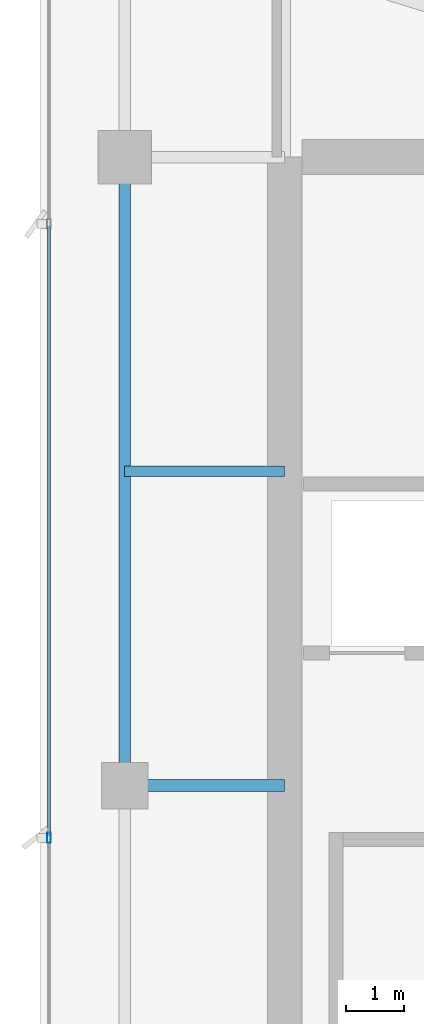
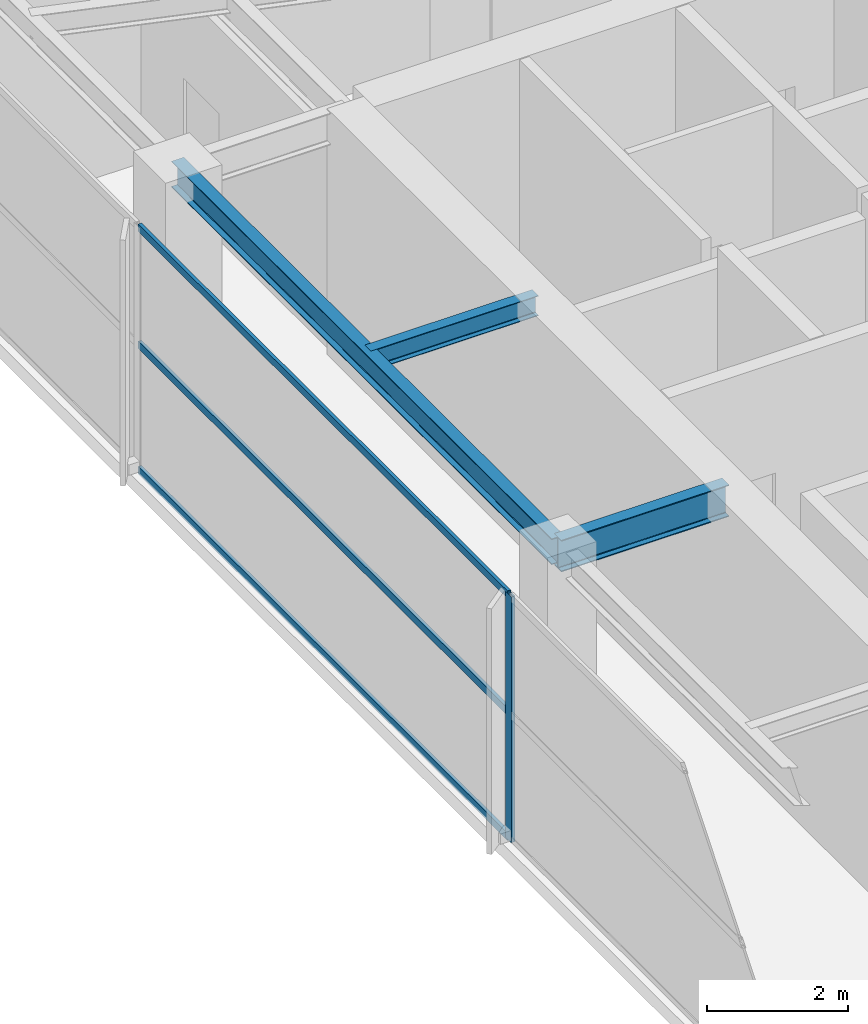
# One storey, part 9 of 25: 4 members, 3 beams, 1 element without a shape of its own.
"""IFC4 building model written with IfcOpenShell, lengths in metres."""

import ifcopenshell
import ifcopenshell.guid

model = None  # the IFC model being written
_history = None  # IfcOwnerHistory: only IFC2X3 demands one
_inside = {}  # id of a spatial element -> (the spatial element, [elements in it])
_under = {}  # id of a project, library or spatial element -> (it, [spatial elements below it])
_declared = {}  # id of a project -> (the project, [libraries it declares])
_typed = {}  # id of a type object -> (the type object, [elements of that type])
_made_of = {}  # id of a material, layer set ... -> (it, [elements and type objects made of it])


def new_model(schema):
    """Start an empty IFC model of exactly this schema.

    Asked for "IFC4X3", IfcOpenShell would pick the latest addendum, in which some entities
    have other attributes; the version numbers below select the first issue.
    IFC2X3 requires an IfcOwnerHistory on every rooted entity: one is made here for all.
    """
    global model, _history
    if schema == "IFC4X3":
        model = ifcopenshell.file(schema_version=(4, 3, 0, 0))
    else:
        model = ifcopenshell.file(schema=schema)
    _inside.clear()
    _under.clear()
    _declared.clear()
    _typed.clear()
    _made_of.clear()
    _history = None
    if model.schema == "IFC2X3":
        org = make("IfcOrganization", Name="unknown")
        user = make(
            "IfcPersonAndOrganization",
            ThePerson=make("IfcPerson", FamilyName="unknown"),
            TheOrganization=org,
        )
        app = make(
            "IfcApplication",
            ApplicationDeveloper=org,
            Version="unknown",
            ApplicationFullName="unknown",
            ApplicationIdentifier="unknown",
        )
        _history = make(
            "IfcOwnerHistory",
            OwningUser=user,
            OwningApplication=app,
            ChangeAction="ADDED",
            CreationDate=0,
        )
    return model


def make(cls, **values):
    """One entity of the class cls with the attributes given. An attribute that is None is left unset."""
    return model.create_entity(
        cls, **{name: value for name, value in values.items() if value is not None}
    )


def rooted(cls, **values):
    """An entity with a GlobalId (a new one), such as an element, a storey or a relation."""
    return make(cls, GlobalId=ifcopenshell.guid.new(), OwnerHistory=_history, **values)


def si_unit(unit_type, name, prefix=None):
    """IfcSIUnit, for example si_unit("LENGTHUNIT", "METRE", prefix="MILLI")."""
    return make("IfcSIUnit", UnitType=unit_type, Prefix=prefix, Name=name)


def assignment(units):
    """IfcUnitAssignment: the units of a project."""
    return None if units is None else make("IfcUnitAssignment", Units=units)


def point(xyz):
    """IfcCartesianPoint."""
    return None if xyz is None else make("IfcCartesianPoint", Coordinates=xyz)


def direction(xyz):
    """IfcDirection."""
    return None if xyz is None else make("IfcDirection", DirectionRatios=xyz)


def frame(location, z_axis=None, x_axis=None):
    """IfcAxis2Placement3D, a coordinate frame: its origin and axes. An axis left out is left unset."""
    return make(
        "IfcAxis2Placement3D",
        Location=point(location),
        Axis=direction(z_axis),
        RefDirection=direction(x_axis),
    )


def frame_2d(location, x_axis=None):
    """IfcAxis2Placement2D, a coordinate frame in the plane: its origin and x axis."""
    return make(
        "IfcAxis2Placement2D", Location=point(location), RefDirection=direction(x_axis)
    )


def origin():
    """The frame at (0, 0, 0) with its axes left unset."""
    return frame((0.0, 0.0, 0.0))


def origin_2d():
    """The frame at (0, 0) in the plane with its x axis left unset."""
    return frame_2d((0.0, 0.0))


def place(relative_to, where):
    """IfcLocalPlacement: puts the frame where relative to a parent placement (None: the world)."""
    return make(
        "IfcLocalPlacement", PlacementRelTo=relative_to, RelativePlacement=where
    )


def context(
    kind, dimensions, precision=None, world=None, true_north=None, identifier=None
):
    """IfcGeometricRepresentationContext, for example the 3D "Model" context."""
    return make(
        "IfcGeometricRepresentationContext",
        ContextIdentifier=identifier,
        ContextType=kind,
        CoordinateSpaceDimension=dimensions,
        Precision=precision,
        WorldCoordinateSystem=world,
        TrueNorth=true_north,
    )


def subcontext(parent, identifier, kind, view, scale=None):
    """IfcGeometricRepresentationSubContext, for example "Body" below "Model"."""
    return make(
        "IfcGeometricRepresentationSubContext",
        ContextIdentifier=identifier,
        ContextType=kind,
        ParentContext=parent,
        TargetScale=scale,
        TargetView=view,
    )


def project(units=None, contexts=None):
    """IfcProject with its units and contexts."""
    return rooted(
        "IfcProject",
        Name="project",
        RepresentationContexts=contexts,
        UnitsInContext=assignment(units),
    )


def spatial(cls, under=None, at=None, **own):
    """A site, building, storey or space (cls), placed at a placement, below another one or the project."""
    s = rooted(cls, ObjectPlacement=at, **own)
    if under is not None:
        _under.setdefault(under.id(), (under, []))[1].append(s)
    return s


def profile(cls, at=None, kind="AREA", **sizes):
    """A parametric profile (cls). Its sizes go by their IFC names, for example OverallWidth=200.0."""
    return make(cls, ProfileType=kind, Position=at, **sizes)


def hollow_rectangle(**sizes):
    """IfcRectangleHollowProfileDef."""
    return profile("IfcRectangleHollowProfileDef", **sizes)


def i_section(**sizes):
    """IfcIShapeProfileDef."""
    return profile("IfcIShapeProfileDef", **sizes)


def extrude(swept, where, along, depth):
    """IfcExtrudedAreaSolid: the profile swept, set in the frame where, extruded along a direction by depth."""
    return make(
        "IfcExtrudedAreaSolid",
        SweptArea=swept,
        Position=where,
        ExtrudedDirection=direction(along),
        Depth=depth,
    )


def shape(context_of_items, identifier, shape_type, items):
    """IfcShapeRepresentation: the items that make up one representation, for example the "Body"."""
    return make(
        "IfcShapeRepresentation",
        ContextOfItems=context_of_items,
        RepresentationIdentifier=identifier,
        RepresentationType=shape_type,
        Items=items,
    )


def material(Name=None, Category=None):
    """IfcMaterial."""
    return make("IfcMaterial", Name=Name, Category=Category)


def layer(
    of_material, thickness, ventilated=None, Name=None, Category=None, Priority=None
):
    """IfcMaterialLayer: one layer of a wall or slab, of a material (None: an air gap)."""
    return make(
        "IfcMaterialLayer",
        Material=of_material,
        LayerThickness=thickness,
        IsVentilated=ventilated,
        Name=Name,
        Category=Category,
        Priority=Priority,
    )


def layer_set(layers, Name=None):
    """IfcMaterialLayerSet."""
    return make("IfcMaterialLayerSet", MaterialLayers=layers, LayerSetName=Name)


def material_profile(
    of_material, cross_section, Name=None, Category=None, Priority=None
):
    """IfcMaterialProfile: a cross section and its material."""
    return make(
        "IfcMaterialProfile",
        Name=Name,
        Material=of_material,
        Profile=cross_section,
        Priority=Priority,
        Category=Category,
    )


def profile_set(profiles, Name=None, composite=None):
    """IfcMaterialProfileSet."""
    return make(
        "IfcMaterialProfileSet",
        Name=Name,
        MaterialProfiles=profiles,
        CompositeProfile=composite,
    )


def made_of(thing, what):
    """Note that an element or type object is made of a material, layer set ...; save() writes the relation."""
    if what is not None:
        _made_of.setdefault(what.id(), (what, []))[1].append(thing)
    return thing


def type_object(cls, material=None, **own):
    """A type object (cls), such as IfcWallType, which elements share."""
    return made_of(rooted(cls, **own), material)


def element(
    cls,
    number,
    at=None,
    inside=None,
    cuts=None,
    type_object=None,
    material=None,
    context=None,
    identifier="Body",
    shape_type=None,
    held_by="IfcProductDefinitionShape",
    body=None,
    shapes=None,
    **own,
):
    """One element of the class cls, such as IfcWall. Its Tag is "e" and its number.

    at: its placement. inside: the storey or other place that contains it. cuts: it is an
    opening in that element (IfcRelVoidsElement). A single representation is given by context,
    identifier, shape_type and body (its items); several are given by shapes. held_by: the class
    of the entity that holds the representations. save() writes the other relations.
    """
    e = rooted(cls, Tag="e%d" % number, ObjectPlacement=at, **own)
    if body is not None:
        shapes = [shape(context, identifier, shape_type, body)]
    if shapes is not None:
        e.Representation = make(held_by, Representations=shapes)
    if inside is not None:
        _inside.setdefault(inside.id(), (inside, []))[1].append(e)
    if cuts is not None:
        rooted(
            "IfcRelVoidsElement", RelatingBuildingElement=cuts, RelatedOpeningElement=e
        )
    if type_object is not None:
        _typed.setdefault(type_object.id(), (type_object, []))[1].append(e)
    return made_of(e, material)


def aggregate(whole, parts):
    """IfcRelAggregates: a whole, such as a stair, and the parts it consists of."""
    return rooted("IfcRelAggregates", RelatingObject=whole, RelatedObjects=parts)


def save(model, path):
    """Write the relations noted so far, then the file.

    IfcRelAggregates (storeys below a building ...), IfcRelContainedInSpatialStructure (elements
    in a storey), IfcRelDefinesByType, IfcRelAssociatesMaterial and IfcRelDeclares: one each for
    every whole, place, type object, material and project.
    """
    for whole, parts in _under.values():
        aggregate(whole, parts)
    for where, things in _inside.values():
        rooted(
            "IfcRelContainedInSpatialStructure",
            RelatedElements=things,
            RelatingStructure=where,
        )
    for kind, things in _typed.values():
        rooted("IfcRelDefinesByType", RelatedObjects=things, RelatingType=kind)
    for what, things in _made_of.values():
        rooted("IfcRelAssociatesMaterial", RelatedObjects=things, RelatingMaterial=what)
    for by, libraries in _declared.values():
        rooted("IfcRelDeclares", RelatingContext=by, RelatedDefinitions=libraries)
    model.write(path)


model = new_model("IFC4")

# Units and contexts
model_context = context("Model", 3, precision=1e-05, world=origin(), true_north=direction((0.0, 1.0)))
body_context = subcontext(model_context, "Body", "Model", "MODEL_VIEW")
ifc_project = project(units=[si_unit("LENGTHUNIT", "METRE"), si_unit("AREAUNIT", "SQUARE_METRE"), si_unit("VOLUMEUNIT", "CUBIC_METRE"), si_unit("PLANEANGLEUNIT", "RADIAN"), si_unit("MASSUNIT", "GRAM", prefix="KILO")], contexts=[model_context])

# Site, building, storey
site_placement = place(None, origin())
site = spatial("IfcSite", under=ifc_project, at=site_placement, CompositionType="ELEMENT")
building_placement = place(site_placement, origin())
building = spatial("IfcBuilding", under=site, at=building_placement, Name="Calvorn Quay Hotel", CompositionType="ELEMENT")
storey_placement = place(building_placement, frame((0.0, 0.0, 311.5)))
storey = spatial("IfcBuildingStorey", under=building, at=storey_placement, Name="L77", CompositionType="ELEMENT", Elevation=311.5)

# Beams
ifc_material_1 = material(Name="Steel Q355B", Category="steel")
ifc_material_profile_1 = material_profile(ifc_material_1, i_section(OverallWidth=0.199951171875, OverallDepth=0.550048828125, WebThickness=0.010009765625, FlangeThickness=0.01611328125, FilletRadius=0.01806640625, at=origin_2d()), Name="HN550x200x10x16")
ifc_profile_set_1 = profile_set([ifc_material_profile_1], Name="Steel Q355B")
beam_type_1 = type_object("IfcBeamType", Name="BM-GIRD-UPP", PredefinedType="BEAM", material=ifc_profile_set_1)
beam_1_placement = place(storey_placement, frame((1.449951171875, 27.60009765625, 3.965087890625), z_axis=(1.0, 0.0, 0.0), x_axis=(0.0, 1.0, 0.0)))
element("IfcBeam", 1, at=beam_1_placement, inside=storey, type_object=beam_type_1, Name="Beam BG-L77-W2", PredefinedType="BEAM", context=body_context, shape_type="SweptSolid", body=[
    extrude(i_section(OverallWidth=0.199951171875, OverallDepth=0.550048828125, WebThickness=0.010009765625, FlangeThickness=0.01611328125, FilletRadius=0.01806640625, at=origin_2d()), origin(), (0.0, 0.0, 1.0), 2.75),
])
ifc_material_2 = material(Name="Steel Q355B", Category="steel")
ifc_material_profile_2 = material_profile(ifc_material_2, i_section(OverallWidth=0.175048828125, OverallDepth=0.35009765625, WebThickness=0.007080078125, FlangeThickness=0.010986328125, FilletRadius=0.013916015625, at=origin_2d()), Name="HN350x175x7x11")
ifc_profile_set_2 = profile_set([ifc_material_profile_2], Name="Steel Q355B")
beam_type_2 = type_object("IfcBeamType", Name="BM-JOIST-SEC", PredefinedType="JOIST", material=ifc_profile_set_2)
beam_2_placement = place(storey_placement, frame((1.449951171875, 33.0, 4.06494140625), z_axis=(1.0, 0.0, 0.0), x_axis=(0.0, 1.0, 0.0)))
element("IfcBeam", 2, at=beam_2_placement, inside=storey, type_object=beam_type_2, Name="Beam BJ-L77-W4", PredefinedType="JOIST", context=body_context, shape_type="SweptSolid", body=[
    extrude(i_section(OverallWidth=0.175048828125, OverallDepth=0.35009765625, WebThickness=0.007080078125, FlangeThickness=0.010986328125, FilletRadius=0.013916015625, at=origin_2d()), origin(), (0.0, 0.0, 1.0), 2.75),
])
ifc_material_3 = material(Name="Steel Q355B", Category="steel")
ifc_material_profile_3 = material_profile(ifc_material_3, i_section(OverallWidth=0.199951171875, OverallDepth=0.449951171875, WebThickness=0.009033203125, FlangeThickness=0.013916015625, FilletRadius=0.01611328125, at=origin_2d()), Name="HN450x200x9x14")
ifc_profile_set_3 = profile_set([ifc_material_profile_3], Name="Steel Q355B")
beam_type_3 = type_object("IfcBeamType", Name="BM-SPANDREL-Z3", PredefinedType="SPANDREL", material=ifc_profile_set_3)
beam_3_placement = place(storey_placement, frame((1.449951171875, 27.60009765625, 4.014892578125), z_axis=(0.0, 1.0, 0.0), x_axis=(-1.0, 0.0, 0.0)))
element("IfcBeam", 3, at=beam_3_placement, inside=storey, type_object=beam_type_3, Name="Beam BSP-L77-W3", PredefinedType="SPANDREL", context=body_context, shape_type="SweptSolid", body=[
    extrude(i_section(OverallWidth=0.199951171875, OverallDepth=0.449951171875, WebThickness=0.009033203125, FlangeThickness=0.013916015625, FilletRadius=0.01611328125, at=origin_2d()), origin(), (0.0, 0.0, 1.0), 10.7998046875),
])

# Curtain wall, members
ifc_material_4 = material(Name="Champagne Bronze Anodised Aluminium and Low-E Glass", Category="aluminium")
ifc_layer = layer(ifc_material_4, 0.219970703125)
ifc_layer_set = layer_set([ifc_layer], Name="CW-SYS-Z4")
curtain_wall_type = type_object("IfcCurtainWallType", Name="CW-SYS-Z4", PredefinedType="NOTDEFINED", material=ifc_layer_set)
curtain_wall_placement = place(storey_placement, origin())
curtain_wall = element("IfcCurtainWall", 4, at=curtain_wall_placement, inside=storey, type_object=curtain_wall_type, Name="Tower West Curtain Wall (L77)", PredefinedType="NOTDEFINED")
ifc_material_5 = material(Name="Champagne Bronze Anodised Aluminium 6063-T6", Category="aluminium")
ifc_material_profile_4 = material_profile(ifc_material_5, hollow_rectangle(XDim=0.06494140625, YDim=0.169921875, WallThickness=0.00341796875, at=origin_2d()), Name="ALU-M170x65x3.5")
ifc_profile_set_4 = profile_set([ifc_material_profile_4], Name="Champagne Bronze Anodised Aluminium 6063-T6")
member_type_1 = type_object("IfcMemberType", Name="CW-SYS-Z4-MUL", PredefinedType="MULLION", material=ifc_profile_set_4)
member_1_placement = place(storey_placement, frame((0.14990234375, 26.699951171875, 0.0), z_axis=(0.0, 0.0, 1.0), x_axis=(-1.0, 0.0, 0.0)))
member_1 = element("IfcMember", 5, at=member_1_placement, type_object=member_type_1, Name="CW-L77-W mullion 3", PredefinedType="MULLION", context=body_context, shape_type="SweptSolid", body=[
    extrude(hollow_rectangle(XDim=0.06494140625, YDim=0.169921875, WallThickness=0.00341796875, at=origin_2d()), origin(), (0.0, 0.0, 1.0), 4.260009765625),
])
ifc_material_6 = material(Name="Champagne Bronze Anodised Aluminium 6063-T6", Category="aluminium")
ifc_material_profile_5 = material_profile(ifc_material_6, hollow_rectangle(XDim=0.054931640625, YDim=0.1298828125, WallThickness=0.003173828125, at=origin_2d()), Name="ALU-T130x55x3.2")
ifc_profile_set_5 = profile_set([ifc_material_profile_5], Name="Champagne Bronze Anodised Aluminium 6063-T6")
member_type_2 = type_object("IfcMemberType", Name="CW-SYS-Z4-TRN", PredefinedType="USERDEFINED", material=ifc_profile_set_5)
member_2_placement = place(storey_placement, frame((0.14990234375, 26.72998046875, 0.030029296875), z_axis=(0.0, 1.0, 0.0), x_axis=(-1.0, 0.0, 0.0)))
member_2 = element("IfcMember", 6, at=member_2_placement, type_object=member_type_2, Name="CW-L77-W transom 3.1", ObjectType="TRANSOM", PredefinedType="USERDEFINED", context=body_context, shape_type="SweptSolid", body=[
    extrude(hollow_rectangle(XDim=0.054931640625, YDim=0.1298828125, WallThickness=0.003173828125, at=origin_2d()), origin(), (0.0, 0.0, 1.0), 10.489990234375),
])
member_3_placement = place(storey_placement, frame((0.14990234375, 26.72998046875, 2.199951171875), z_axis=(0.0, 1.0, 0.0), x_axis=(-1.0, 0.0, 0.0)))
member_3 = element("IfcMember", 7, at=member_3_placement, type_object=member_type_2, Name="CW-L77-W transom 3.2", ObjectType="TRANSOM", PredefinedType="USERDEFINED", context=body_context, shape_type="SweptSolid", body=[
    extrude(hollow_rectangle(XDim=0.054931640625, YDim=0.1298828125, WallThickness=0.003173828125, at=origin_2d()), origin(), (0.0, 0.0, 1.0), 10.489990234375),
])
member_4_placement = place(storey_placement, frame((0.14990234375, 26.72998046875, 4.22998046875), z_axis=(0.0, 1.0, 0.0), x_axis=(-1.0, 0.0, 0.0)))
member_4 = element("IfcMember", 8, at=member_4_placement, type_object=member_type_2, Name="CW-L77-W transom 3.3", ObjectType="TRANSOM", PredefinedType="USERDEFINED", context=body_context, shape_type="SweptSolid", body=[
    extrude(hollow_rectangle(XDim=0.054931640625, YDim=0.1298828125, WallThickness=0.003173828125, at=origin_2d()), origin(), (0.0, 0.0, 1.0), 10.489990234375),
])
aggregate(curtain_wall, [member_1, member_2, member_3, member_4])

save(model, "model.ifc")
